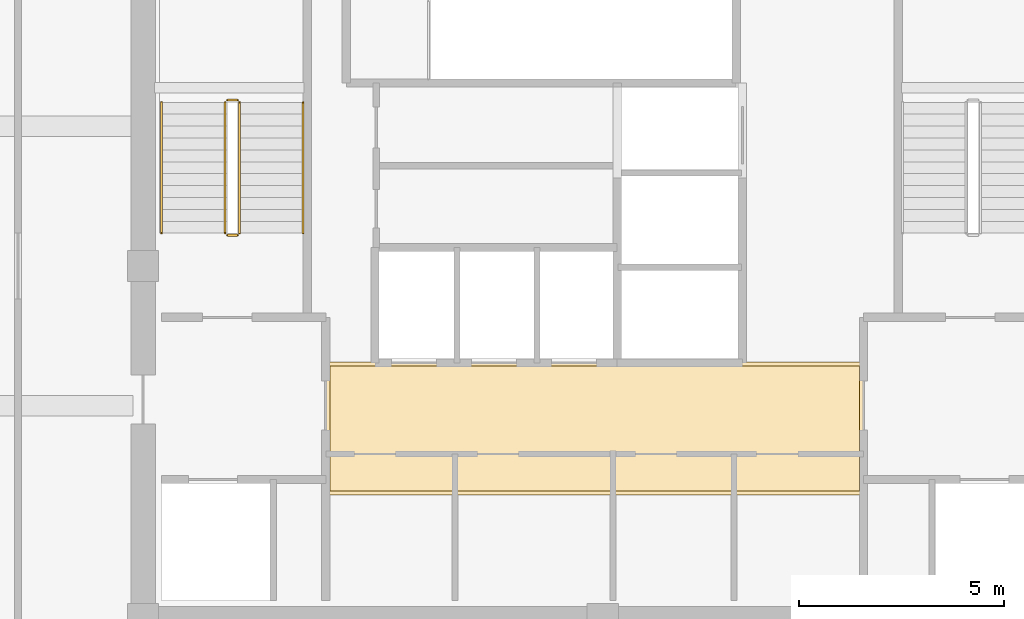
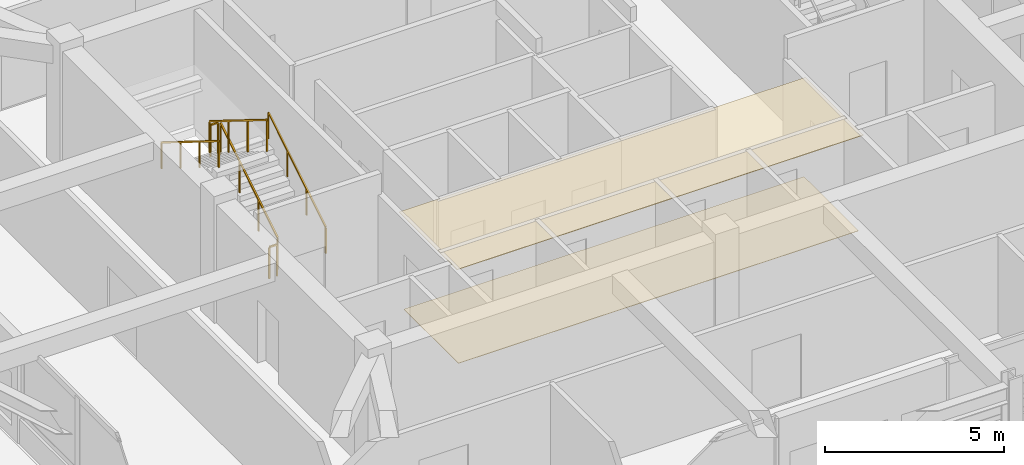
# One storey, part 8 of 10: 6 railings, 2 coverings.
"""IFC4 building model written with IfcOpenShell, lengths in metres."""

from ifc_helpers import new_model, si_unit, derived_unit, direction, frame, origin, origin_2d, place, context, subcontext, project, spatial, polyline, rectangle, outline, extrude, material, layer, layer_set, type_object, element, save


model = new_model("IFC4")

# Units and contexts
model_context = context("Model", 3, precision=1e-05, world=origin(), true_north=direction((0.0, 1.0)))
body_context = subcontext(model_context, "Body", "Model", "MODEL_VIEW")
ifc_project = project(units=[si_unit("LENGTHUNIT", "METRE"), si_unit("AREAUNIT", "SQUARE_METRE"), si_unit("VOLUMEUNIT", "CUBIC_METRE"), si_unit("PLANEANGLEUNIT", "RADIAN"), si_unit("MASSUNIT", "GRAM", prefix="KILO"), derived_unit("THERMALTRANSMITTANCEUNIT", [(si_unit("POWERUNIT", "WATT"), 1), (si_unit("LENGTHUNIT", "METRE"), -2), (si_unit("THERMODYNAMICTEMPERATUREUNIT", "KELVIN"), -1)])], contexts=[model_context])

# Site, building, storey
site_placement = place(None, origin())
site = spatial("IfcSite", under=ifc_project, at=site_placement, CompositionType="ELEMENT")
building_placement = place(site_placement, origin())
building = spatial("IfcBuilding", under=site, at=building_placement, Name="Koralith Skygarden Medical Center", CompositionType="ELEMENT")
storey_placement = place(building_placement, frame((0.0, 0.0, 294.659912109375)))
storey = spatial("IfcBuildingStorey", under=building, at=storey_placement, Name="L76", CompositionType="ELEMENT", Elevation=294.659912109375)

# Coverings
ifc_material_1 = material(Name="Acoustic Mineral Tile")
ifc_layer_1 = layer(ifc_material_1, 0.02001953125)
ifc_layer_set_1 = layer_set([ifc_layer_1], Name="Acoustic Mineral Tile")
covering_type_1 = type_object("IfcCoveringType", Name="Acoustic Hygienic Mineral Ceiling 20", PredefinedType="CEILING", material=ifc_layer_set_1)
covering_1_placement = place(storey_placement, frame((0.0, 0.0, 3.28515625)))
element("IfcCovering", 1, at=covering_1_placement, inside=storey, type_object=covering_type_1, Name="L76 Core Lobby Acoustic Ceiling", PredefinedType="CEILING", context=body_context, shape_type="SweptSolid", body=[
    extrude(outline(polyline([(30.25, 20.320068359375), (43.35009765625, 20.320068359375), (43.35009765625, 23.56005859375), (30.25, 23.56005859375), (30.25, 20.320068359375)])), origin(), (0.0, 0.0, 1.0), 0.02001953125),
])
ifc_material_2 = material(Name="Medical Terrazzo Flooring")
ifc_layer_2 = layer(ifc_material_2, 0.014892578125)
ifc_layer_set_2 = layer_set([ifc_layer_2], Name="Medical Terrazzo Flooring")
covering_type_2 = type_object("IfcCoveringType", Name="Seamless Antimicrobial Terrazzo Flooring 15", PredefinedType="FLOORING", material=ifc_layer_set_2)
covering_2_placement = place(storey_placement, origin())
element("IfcCovering", 2, at=covering_2_placement, inside=storey, type_object=covering_type_2, Name="L76 Core Lobby Terrazzo Flooring", PredefinedType="FLOORING", context=body_context, shape_type="SweptSolid", body=[
    extrude(outline(polyline([(30.35009765625, 20.419921875), (43.25, 20.419921875), (43.25, 23.4599609375), (30.35009765625, 23.4599609375), (30.35009765625, 20.419921875)])), origin(), (0.0, 0.0, 1.0), 0.01513671875),
])

# Railings
ifc_material_3 = material(Name="Steel ASTM A500 Grade C", Category="steel")
railing_type_1 = type_object("IfcRailingType", Name="Stair Flight Tubular Handrail 920", PredefinedType="HANDRAIL", material=ifc_material_3)
railing_1_placement = place(storey_placement, frame((29.699951171875, 26.699951171875, 0.18017578125)))
element("IfcRailing", 3, at=railing_1_placement, inside=storey, type_object=railing_type_1, Name="L76 ST1 stair handrail 1", PredefinedType="HANDRAIL", context=body_context, shape_type="SweptSolid", body=[
    extrude(rectangle(XDim=0.050048828125, YDim=0.050048828125, at=origin_2d()), frame((0.0, 0.001708984375, 0.89599609375), z_axis=(0.0, 0.849638156785, 0.527366099152), x_axis=(-1.0, 0.0, 0.0)), (0.0, 0.0, 1.0), 3.75048828125),
    extrude(rectangle(XDim=0.0419921875, YDim=0.0419921875, at=origin_2d()), origin(), (0.0, 0.0, 1.0), 0.867919921875),
    extrude(rectangle(XDim=0.0419921875, YDim=0.0419921875, at=origin_2d()), frame((0.0, 1.063232421875, 0.659912109375)), (0.0, 0.0, 1.0), 0.867919921875),
    extrude(rectangle(XDim=0.0419921875, YDim=0.0419921875, at=origin_2d()), frame((0.0, 2.126708984375, 1.320068359375)), (0.0, 0.0, 1.0), 0.867919921875),
    extrude(rectangle(XDim=0.0419921875, YDim=0.0419921875, at=origin_2d()), frame((0.0, 3.18994140625, 1.97998046875)), (0.0, 0.0, 1.0), 0.867919921875),
])
railing_2_placement = place(storey_placement, frame((26.25, 29.889892578125, 2.340087890625)))
element("IfcRailing", 4, at=railing_2_placement, inside=storey, type_object=railing_type_1, Name="L76 ST1 stair handrail 2", PredefinedType="HANDRAIL", context=body_context, shape_type="SweptSolid", body=[
    extrude(rectangle(XDim=0.050048828125, YDim=0.050048828125, at=origin_2d()), frame((0.0, -0.001708984375, 0.89599609375), z_axis=(0.0, -0.849638156785, 0.527366099152), x_axis=(1.0, 0.0, 0.0)), (0.0, 0.0, 1.0), 3.75048828125),
    extrude(rectangle(XDim=0.0419921875, YDim=0.0419921875, at=origin_2d()), origin(), (0.0, 0.0, 1.0), 0.867919921875),
    extrude(rectangle(XDim=0.0419921875, YDim=0.0419921875, at=origin_2d()), frame((0.0, -1.063232421875, 0.659912109375)), (0.0, 0.0, 1.0), 0.867919921875),
    extrude(rectangle(XDim=0.0419921875, YDim=0.0419921875, at=origin_2d()), frame((0.0, -2.126708984375, 1.320068359375)), (0.0, 0.0, 1.0), 0.867919921875),
    extrude(rectangle(XDim=0.0419921875, YDim=0.0419921875, at=origin_2d()), frame((0.0, -3.18994140625, 1.97998046875)), (0.0, 0.0, 1.0), 0.867919921875),
])
railing_type_2 = type_object("IfcRailingType", Name="Stair Well Safety Guardrail 1100", PredefinedType="GUARDRAIL", material=ifc_material_3)
railing_3_placement = place(storey_placement, frame((28.14990234375, 26.699951171875, 0.18017578125)))
element("IfcRailing", 5, at=railing_3_placement, inside=storey, type_object=railing_type_2, Name="L76 ST1 stair guard 1", PredefinedType="GUARDRAIL", context=body_context, shape_type="SweptSolid", body=[
    extrude(rectangle(XDim=0.050048828125, YDim=0.050048828125, at=origin_2d()), frame((0.0, 0.001708984375, 1.076171875), z_axis=(0.0, 0.849638156785, 0.527366099152), x_axis=(-1.0, 0.0, 0.0)), (0.0, 0.0, 1.0), 3.75048828125),
    extrude(rectangle(XDim=0.0419921875, YDim=0.0419921875, at=origin_2d()), origin(), (0.0, 0.0, 1.0), 1.048095703125),
    extrude(rectangle(XDim=0.0419921875, YDim=0.0419921875, at=origin_2d()), frame((0.0, 1.063232421875, 0.659912109375)), (0.0, 0.0, 1.0), 1.048095703125),
    extrude(rectangle(XDim=0.0419921875, YDim=0.0419921875, at=origin_2d()), frame((0.0, 2.126708984375, 1.320068359375)), (0.0, 0.0, 1.0), 1.048095703125),
    extrude(rectangle(XDim=0.0419921875, YDim=0.0419921875, at=origin_2d()), frame((0.0, 3.18994140625, 1.97998046875)), (0.0, 0.0, 1.0), 1.048095703125),
])
railing_4_placement = place(storey_placement, frame((28.10009765625, 29.93994140625, 2.16015625)))
element("IfcRailing", 6, at=railing_4_placement, inside=storey, type_object=railing_type_2, Name="L76 ST1 stair guard 2", PredefinedType="GUARDRAIL", context=body_context, shape_type="SweptSolid", body=[
    extrude(rectangle(XDim=0.050048828125, YDim=0.050048828125, at=origin_2d()), frame((-0.001953125, 0.0, 1.0751953125), z_axis=(-1.0, 0.0, 0.0), x_axis=(0.0, -1.0, 0.0)), (0.0, 0.0, 1.0), 0.24609375),
    extrude(rectangle(XDim=0.0419921875, YDim=0.0419921875, at=origin_2d()), origin(), (0.0, 0.0, 1.0), 1.048095703125),
    extrude(rectangle(XDim=0.0419921875, YDim=0.0419921875, at=origin_2d()), frame((-0.25, 0.0, 0.0)), (0.0, 0.0, 1.0), 1.048095703125),
])
railing_5_placement = place(storey_placement, frame((27.800048828125, 29.889892578125, 2.340087890625)))
element("IfcRailing", 7, at=railing_5_placement, inside=storey, type_object=railing_type_2, Name="L76 ST1 stair guard 3", PredefinedType="GUARDRAIL", context=body_context, shape_type="SweptSolid", body=[
    extrude(rectangle(XDim=0.050048828125, YDim=0.050048828125, at=origin_2d()), frame((0.0, -0.001708984375, 1.076171875), z_axis=(0.0, -0.849638156785, 0.527366099152), x_axis=(1.0, 0.0, 0.0)), (0.0, 0.0, 1.0), 3.75048828125),
    extrude(rectangle(XDim=0.0419921875, YDim=0.0419921875, at=origin_2d()), origin(), (0.0, 0.0, 1.0), 1.048095703125),
    extrude(rectangle(XDim=0.0419921875, YDim=0.0419921875, at=origin_2d()), frame((0.0, -1.063232421875, 0.659912109375)), (0.0, 0.0, 1.0), 1.048095703125),
    extrude(rectangle(XDim=0.0419921875, YDim=0.0419921875, at=origin_2d()), frame((0.0, -2.126708984375, 1.320068359375)), (0.0, 0.0, 1.0), 1.048095703125),
    extrude(rectangle(XDim=0.0419921875, YDim=0.0419921875, at=origin_2d()), frame((0.0, -3.18994140625, 1.97998046875)), (0.0, 0.0, 1.0), 1.048095703125),
])
railing_6_placement = place(storey_placement, frame((28.10009765625, 26.64990234375, 0.0)))
element("IfcRailing", 8, at=railing_6_placement, inside=storey, type_object=railing_type_2, Name="L76 ST1 stair guard 4", PredefinedType="GUARDRAIL", context=body_context, shape_type="SweptSolid", body=[
    extrude(rectangle(XDim=0.050048828125, YDim=0.050048828125, at=origin_2d()), frame((-0.001953125, 0.0, 1.0751953125), z_axis=(-1.0, 0.0, 0.0), x_axis=(0.0, -1.0, 0.0)), (0.0, 0.0, 1.0), 0.24609375),
    extrude(rectangle(XDim=0.0419921875, YDim=0.0419921875, at=origin_2d()), origin(), (0.0, 0.0, 1.0), 1.048095703125),
    extrude(rectangle(XDim=0.0419921875, YDim=0.0419921875, at=origin_2d()), frame((-0.25, 0.0, 0.0)), (0.0, 0.0, 1.0), 1.048095703125),
])

save(model, "model.ifc")
